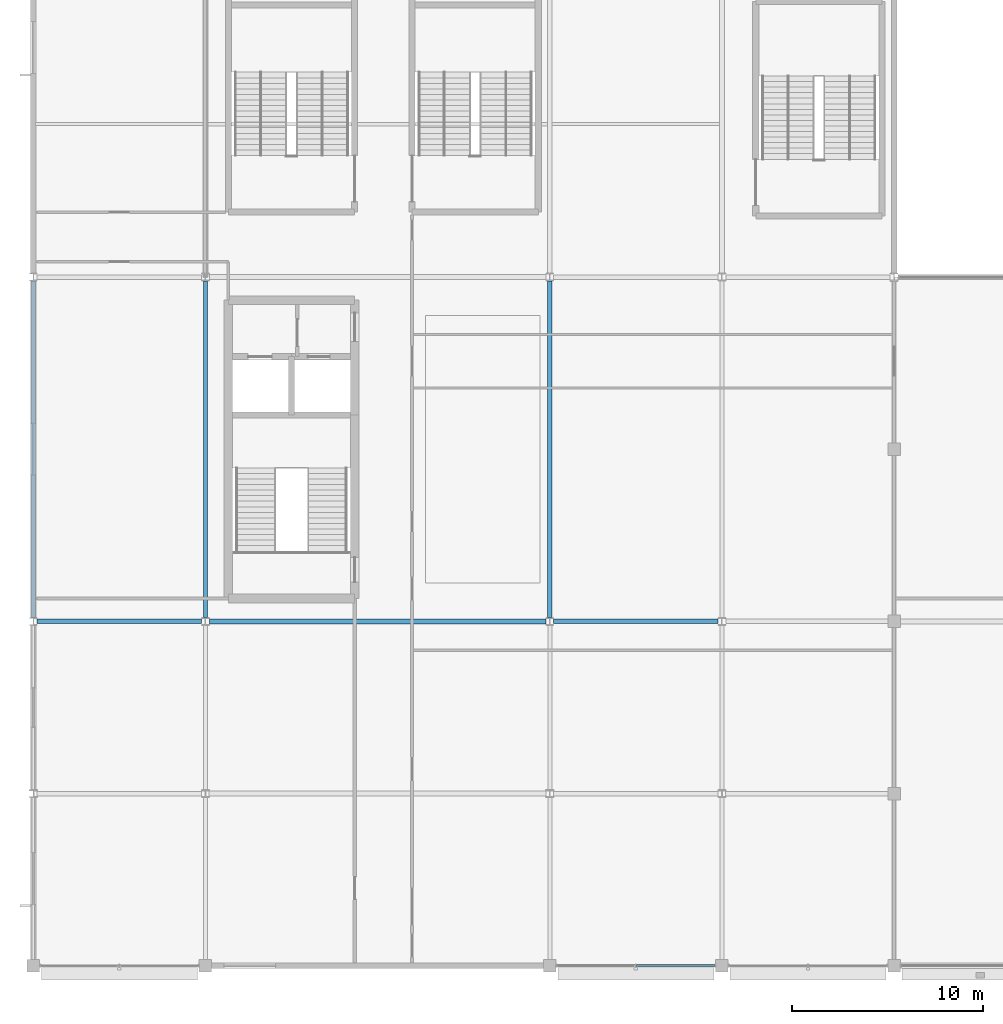
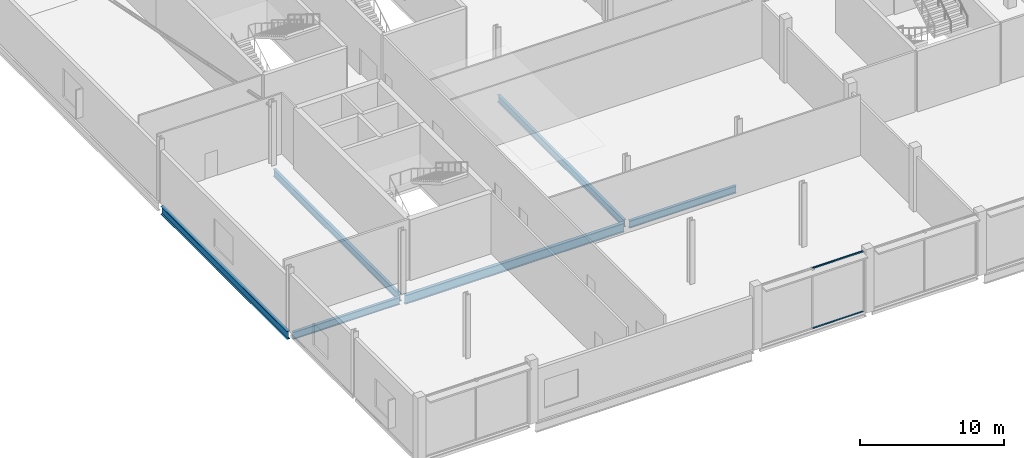
# One storey, part 14 of 111: 6 beams, 2 members, 1 element without a shape of its own.
"""IFC4 building model written with IfcOpenShell, lengths in metres."""

from ifc_helpers import new_model, si_unit, direction, frame, origin, origin_2d, place, context, subcontext, project, spatial, rectangle, i_section, extrude, material, layer, layer_set, material_profile, profile_set, type_object, element, aggregate, save


model = new_model("IFC4")

# Units and contexts
model_context = context("Model", 3, precision=1e-05, world=origin(), true_north=direction((0.0, 1.0)))
body_context = subcontext(model_context, "Body", "Model", "MODEL_VIEW")
ifc_project = project(units=[si_unit("LENGTHUNIT", "METRE"), si_unit("AREAUNIT", "SQUARE_METRE"), si_unit("VOLUMEUNIT", "CUBIC_METRE"), si_unit("PLANEANGLEUNIT", "RADIAN"), si_unit("MASSUNIT", "GRAM", prefix="KILO")], contexts=[model_context])

# Site, building, storey
site_placement = place(None, origin())
site = spatial("IfcSite", under=ifc_project, at=site_placement, CompositionType="ELEMENT")
building_placement = place(site_placement, origin())
building = spatial("IfcBuilding", under=site, at=building_placement, Name="Kisiwana Market Hall", CompositionType="ELEMENT")
storey_placement = place(building_placement, frame((0.0, 0.0, 11.39990234375)))
storey = spatial("IfcBuildingStorey", under=building, at=storey_placement, Name="L02", CompositionType="ELEMENT", Elevation=11.39990234375)

# Beams
ifc_material_1 = material(Name="Steel S355", Category="steel")
ifc_material_profile_1 = material_profile(ifc_material_1, i_section(OverallWidth=0.22900390625, OverallDepth=0.6123046875, WebThickness=0.011962890625, FlangeThickness=0.01953125, at=origin_2d()), Name="UB 610x229x125")
ifc_profile_set_1 = profile_set([ifc_material_profile_1], Name="Steel S355")
beam_type_1 = type_object("IfcBeamType", Name="BM-GIRD-UB610H", PredefinedType="BEAM", material=ifc_profile_set_1)
for number, where, z_axis, x_axis, name in (
    (1, (0.201904296875, 18.0, -0.555908203125), (1.0, 0.0, 0.0), (0.0, 1.0, 0.0), "Floor beam B-0741"),
    (2, (27.201904296875, 18.0, -0.555908203125), (1.0, 0.0, 0.0), (0.0, 1.0, 0.0), "Floor beam B-0743"),
):
    element("IfcBeam", number, at=place(storey_placement, frame(where, z_axis=z_axis, x_axis=x_axis)), inside=storey, type_object=beam_type_1, Name=name, PredefinedType="BEAM", context=body_context, shape_type="SweptSolid", body=[
        extrude(i_section(OverallWidth=0.22900390625, OverallDepth=0.6123046875, WebThickness=0.011962890625, FlangeThickness=0.01953125, at=origin_2d()), origin(), (0.0, 0.0, 1.0), 8.59619140625),
    ])
for number, where, z_axis, x_axis, name in (
    (3, (9.0, 18.21337890625, -0.555908203125), (0.0, 1.0, 0.0), (-1.0, 0.0, 0.0), "Primary girder B-0603"),
    (4, (27.0, 18.21337890625, -0.555908203125), (0.0, 1.0, 0.0), (-1.0, 0.0, 0.0), "Primary girder B-0611"),
):
    element("IfcBeam", number, at=place(storey_placement, frame(where, z_axis=z_axis, x_axis=x_axis)), inside=storey, type_object=beam_type_1, Name=name, PredefinedType="BEAM", context=body_context, shape_type="SweptSolid", body=[
        extrude(i_section(OverallWidth=0.22900390625, OverallDepth=0.6123046875, WebThickness=0.011962890625, FlangeThickness=0.01953125, at=origin_2d()), origin(), (0.0, 0.0, 1.0), 17.5732421875),
    ])
ifc_material_2 = material(Name="Steel S355", Category="steel")
ifc_material_profile_2 = material_profile(ifc_material_2, i_section(OverallWidth=0.253662109375, OverallDepth=0.68359375, WebThickness=0.012451171875, FlangeThickness=0.01904296875, at=origin_2d()), Name="UB 686x254x140")
ifc_profile_set_2 = profile_set([ifc_material_profile_2], Name="Steel S355")
beam_type_2 = type_object("IfcBeamType", Name="BM-GIRD-UB686", PredefinedType="BEAM", material=ifc_profile_set_2)
beam_1_placement = place(storey_placement, frame((0.0, 18.21337890625, -0.591552734375), z_axis=(0.0, 1.0, 0.0), x_axis=(-1.0, 0.0, 0.0)))
element("IfcBeam", 5, at=beam_1_placement, inside=storey, type_object=beam_type_2, Name="Floor beam B-0827", PredefinedType="BEAM", context=body_context, shape_type="SweptSolid", body=[
    extrude(i_section(OverallWidth=0.253662109375, OverallDepth=0.68359375, WebThickness=0.012451171875, FlangeThickness=0.01904296875, at=origin_2d()), origin(), (0.0, 0.0, 1.0), 17.5732421875),
])
ifc_material_3 = material(Name="Steel S355", Category="steel")
ifc_material_profile_3 = material_profile(ifc_material_3, i_section(OverallWidth=0.2666015625, OverallDepth=0.76220703125, WebThickness=0.014404296875, FlangeThickness=0.021484375, at=origin_2d()), Name="UB 762x267x173")
ifc_profile_set_3 = profile_set([ifc_material_profile_3], Name="Steel S355")
beam_type_3 = type_object("IfcBeamType", Name="BM-GIRD-UB762", PredefinedType="BEAM", material=ifc_profile_set_3)
beam_2_placement = place(storey_placement, frame((9.201904296875, 18.0, -0.631103515625), z_axis=(1.0, 0.0, 0.0), x_axis=(0.0, 1.0, 0.0)))
element("IfcBeam", 6, at=beam_2_placement, inside=storey, type_object=beam_type_3, Name="Floor beam B-0742", PredefinedType="BEAM", context=body_context, shape_type="SweptSolid", body=[
    extrude(i_section(OverallWidth=0.2666015625, OverallDepth=0.76220703125, WebThickness=0.014404296875, FlangeThickness=0.021484375, at=origin_2d()), origin(), (0.0, 0.0, 1.0), 17.59619140625),
])

# Curtain wall, members
ifc_material_4 = material(Name="Double-glazed solar-control low-E IGU", Category="glass")
ifc_layer = layer(ifc_material_4, 0.159912109375)
ifc_layer_set = layer_set([ifc_layer], Name="CW-GLD-W-6400")
curtain_wall_type = type_object("IfcCurtainWallType", Name="CW-GLD-W-6400", PredefinedType="USERDEFINED", material=ifc_layer_set)
curtain_wall_placement = place(storey_placement, origin())
curtain_wall = element("IfcCurtainWall", 7, at=curtain_wall_placement, inside=storey, type_object=curtain_wall_type, Name="Unitised curtain wall CW-054 (L02)", ObjectType="UNITISED CURTAIN WALL", PredefinedType="USERDEFINED")
ifc_material_5 = material(Name="Aluminium alloy 6063-T6", Category="aluminium")
ifc_material_profile_4 = material_profile(ifc_material_5, rectangle(XDim=0.1201171875, YDim=0.06005859375, at=origin_2d()), Name="ALU TRANSOM 60x120")
ifc_profile_set_4 = profile_set([ifc_material_profile_4], Name="Aluminium alloy 6063-T6")
member_type = type_object("IfcMemberType", Name="CW-TRAN-60x120", PredefinedType="USERDEFINED", material=ifc_profile_set_4)
member_1_placement = place(storey_placement, frame((31.530029296875, 0.0, 0.030029296875), z_axis=(1.0, 0.0, 0.0), x_axis=(0.0, 1.0, 0.0)))
member_1 = element("IfcMember", 8, at=member_1_placement, type_object=member_type, Name="CW-054 transom 2.1", ObjectType="TRANSOM", PredefinedType="USERDEFINED", context=body_context, shape_type="SweptSolid", body=[
    extrude(rectangle(XDim=0.1201171875, YDim=0.06005859375, at=origin_2d()), origin(), (0.0, 0.0, 1.0), 4.0849609375),
])
member_2_placement = place(storey_placement, frame((31.530029296875, 0.0, 5.1201171875), z_axis=(1.0, 0.0, 0.0), x_axis=(0.0, 1.0, 0.0)))
member_2 = element("IfcMember", 9, at=member_2_placement, type_object=member_type, Name="CW-054 transom 2.2", ObjectType="TRANSOM", PredefinedType="USERDEFINED", context=body_context, shape_type="SweptSolid", body=[
    extrude(rectangle(XDim=0.1201171875, YDim=0.06005859375, at=origin_2d()), origin(), (0.0, 0.0, 1.0), 4.0849609375),
])
aggregate(curtain_wall, [member_1, member_2])

save(model, "model.ifc")
